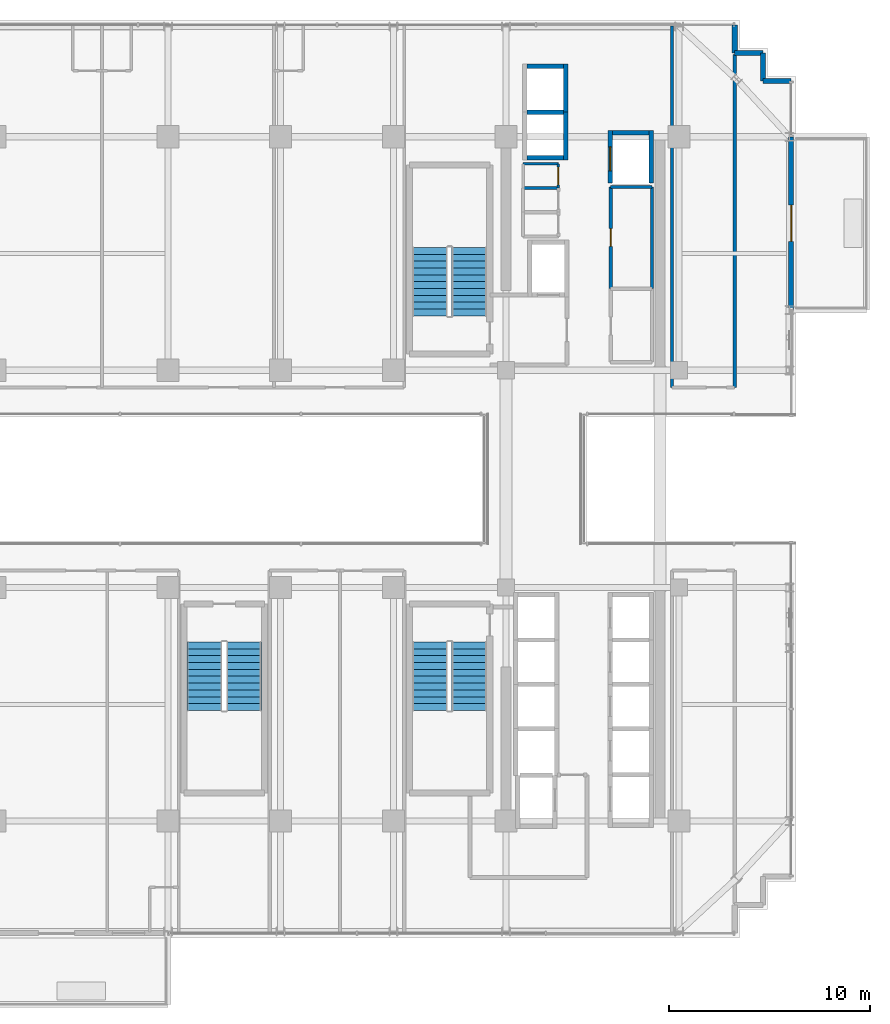
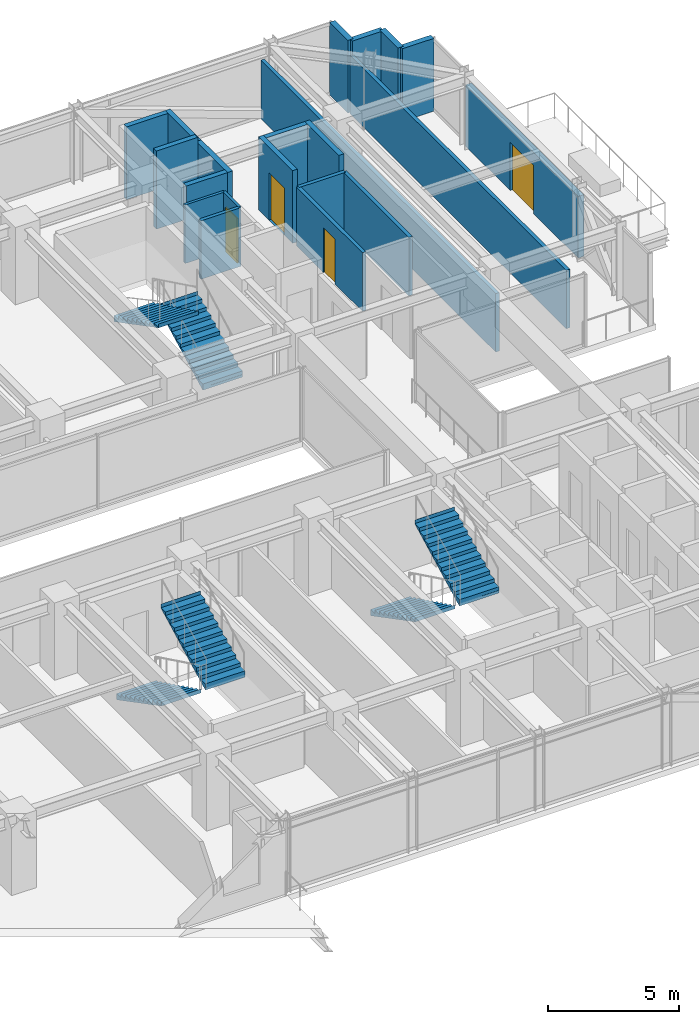
# One storey, part 34 of 38: 21 walls, 6 stair flights, 4 doors, 4 openings, 3 elements without a shape of their own.
"""IFC4 building model written with IfcOpenShell, lengths in metres."""

from ifc_helpers import new_model, si_unit, direction, frame, frame_2d, origin, place, context, subcontext, project, spatial, polyline, rectangle, outline, extrude, source, transform, mapped, material, layer, layer_set, type_object, element, fill, aggregate, save


model = new_model("IFC4")

# Units and contexts
model_context = context("Model", 3, precision=1e-05, world=origin(), true_north=direction((0.0, 1.0)))
body_context = subcontext(model_context, "Body", "Model", "MODEL_VIEW")
ifc_project = project(units=[si_unit("LENGTHUNIT", "METRE"), si_unit("AREAUNIT", "SQUARE_METRE"), si_unit("VOLUMEUNIT", "CUBIC_METRE"), si_unit("PLANEANGLEUNIT", "RADIAN"), si_unit("MASSUNIT", "GRAM", prefix="KILO")], contexts=[model_context])

# Site, building, storey
site_placement = place(None, origin())
site = spatial("IfcSite", under=ifc_project, at=site_placement, CompositionType="ELEMENT")
building_placement = place(site_placement, origin())
building = spatial("IfcBuilding", under=site, at=building_placement, Name="Nahalor Promenade Grand Hotel", CompositionType="ELEMENT")
storey_placement = place(building_placement, frame((0.0, 0.0, 178.199951171875)))
storey = spatial("IfcBuildingStorey", under=building, at=storey_placement, Name="L45", CompositionType="ELEMENT", Elevation=178.199951171875)

# Walls
ifc_material_1 = material(Name="Concrete B-50 (C40/50)", Category="concrete")
ifc_layer_1 = layer(ifc_material_1, 0.219970703125)
ifc_layer_set_1 = layer_set([ifc_layer_1], Name="Concrete B-50 (C40/50)")
wall_type_1 = type_object("IfcWallType", Name="Wall-LiftShaft-220", PredefinedType="SHEAR", material=ifc_layer_set_1)
shared_shape_1 = source(origin(), body_context, "Body", "SweptSolid", [
    extrude(rectangle(XDim=1.820068359375, YDim=0.219970703125, at=frame_2d((0.91015625, 0.0))), origin(), (0.0, 0.0, 1.0), 3.650146484375),
])
wall_1_placement = place(storey_placement, frame((9.43994140625, 18.22509765625, 0.0), z_axis=(0.0, 0.0, 1.0), x_axis=(1.0, 0.0, 0.0)))
element("IfcWall", 1, at=wall_1_placement, inside=storey, type_object=wall_type_1, Name="L45 Lift OB1 Hoistway Wall N", PredefinedType="SHEAR", context=body_context, shape_type="MappedRepresentation", body=[
    mapped(shared_shape_1, transform((0.0, 0.0, 0.0), scale=1.0)),
])
shared_shape_2 = source(origin(), body_context, "Body", "SweptSolid", [
    extrude(rectangle(XDim=1.820068359375, YDim=0.219970703125, at=frame_2d((0.91015625, 0.0))), origin(), (0.0, 0.0, 1.0), 3.39013671875),
])
for number, where, z_axis, x_axis, name in (
    (2, (9.43994140625, 15.949951171875, 0.0), (0.0, 0.0, 1.0), (1.0, 0.0, 0.0), "L45 Lift OB1 Hoistway Wall S"),
    (3, (9.43994140625, 20.5, 0.0), (0.0, 0.0, 1.0), (1.0, 0.0, 0.0), "L45 Lift OB2 Hoistway Wall N"),
    (4, (13.68994140625, 17.199951171875, 0.0), (0.0, 0.0, 1.0), (1.0, 0.0, 0.0), "L45 Lift SV1 Hoistway Wall N"),
):
    element("IfcWall", number, at=place(storey_placement, frame(where, z_axis=z_axis, x_axis=x_axis)), inside=storey, type_object=wall_type_1, Name=name, PredefinedType="SHEAR", context=body_context, shape_type="MappedRepresentation", body=[
        mapped(shared_shape_2, transform((0.0, 0.0, 0.0), scale=1.0)),
    ])
shared_shape_3 = source(origin(), body_context, "Body", "SweptSolid", [
    extrude(rectangle(XDim=2.385009765625, YDim=0.219970703125, at=frame_2d((1.1923828125, 0.0))), origin(), (0.0, 0.0, 1.0), 3.39013671875),
])
for number, where, z_axis, x_axis, name in (
    (5, (11.3701171875, 15.840087890625, 0.0), (0.0, 0.0, 1.0), (0.0, 1.0, 0.0), "L45 Lift OB1 Hoistway Wall E"),
    (6, (11.3701171875, 18.22509765625, 0.0), (0.0, 0.0, 1.0), (0.0, 1.0, 0.0), "L45 Lift OB2 Hoistway Wall E"),
):
    element("IfcWall", number, at=place(storey_placement, frame(where, z_axis=z_axis, x_axis=x_axis)), inside=storey, type_object=wall_type_1, Name=name, PredefinedType="SHEAR", context=body_context, shape_type="MappedRepresentation", body=[
        mapped(shared_shape_3, transform((0.0, 0.0, 0.0), scale=1.0)),
    ])

# Wall, opening, door
shared_shape_4 = source(origin(), body_context, "Body", "SweptSolid", [
    extrude(rectangle(XDim=2.610107421875, YDim=0.219970703125, at=frame_2d((1.30517578125, 0.0))), origin(), (0.0, 0.0, 1.0), 3.39013671875),
])
wall_2_placement = place(storey_placement, frame((13.580078125, 14.699951171875, 0.0), z_axis=(0.0, 0.0, 1.0), x_axis=(0.0, 1.0, 0.0)))
wall_2 = element("IfcWall", 7, at=wall_2_placement, inside=storey, type_object=wall_type_1, Name="L45 Lift SV1 Hoistway Wall W", PredefinedType="SHEAR", context=body_context, shape_type="MappedRepresentation", body=[
    mapped(shared_shape_4, transform((0.0, 0.0, 0.0), scale=1.0)),
])
opening_1_placement = place(wall_2_placement, frame((0.60009765625, 0.0, 0.0)))
opening_1 = element("IfcOpeningElement", 8, at=opening_1_placement, cuts=wall_2, Name="Opening LD-03", PredefinedType="OPENING", context=body_context, shape_type="SweptSolid", body=[
    extrude(rectangle(XDim=1.199951171875, YDim=2.199951171875, at=frame_2d((0.60009765625, 1.10009765625))), frame((0.0, 0.119873046875, 0.0), z_axis=(0.0, -1.0, 0.0), x_axis=(1.0, 0.0, 0.0)), (0.0, 0.0, 1.0), 0.239990234375),
])
ifc_material_2 = material(Name="Steel S355JR", Category="steel")
door_type_1 = type_object("IfcDoorType", Name="Door-LiftService-1200", OperationType="DOUBLE_DOOR_SLIDING", PredefinedType="DOOR", material=ifc_material_2)
shared_shape_5 = source(origin(), body_context, "Body", "SweptSolid", [
    extrude(rectangle(XDim=1.199951171875, YDim=2.199951171875, at=frame_2d((0.60009765625, 1.10009765625))), frame((0.0, 0.02490234375, 0.0), z_axis=(0.0, -1.0, 0.0), x_axis=(1.0, 0.0, 0.0)), (0.0, 0.0, 1.0), 0.050048828125),
])
door_1_placement = place(opening_1_placement, origin())
door_1 = element("IfcDoor", 9, at=door_1_placement, inside=storey, type_object=door_type_1, Name="DR-LIFT-SV1-L45", OperationType="DOUBLE_DOOR_SLIDING", OverallHeight=2.199951171875, OverallWidth=1.199951171875, PredefinedType="DOOR", context=body_context, shape_type="MappedRepresentation", body=[
    mapped(shared_shape_5, transform((0.0, 0.0, 0.0), scale=1.0)),
])
fill(opening_1, door_1)

# Wall
wall_3_placement = place(storey_placement, frame((15.6201171875, 14.699951171875, 0.0), z_axis=(0.0, 0.0, 1.0), x_axis=(0.0, 1.0, 0.0)))
element("IfcWall", 10, at=wall_3_placement, inside=storey, type_object=wall_type_1, Name="L45 Lift SV1 Hoistway Wall E", PredefinedType="SHEAR", context=body_context, shape_type="MappedRepresentation", body=[
    mapped(shared_shape_4, transform((0.0, 0.0, 0.0), scale=1.0)),
])

# Wall, opening, door
ifc_material_3 = material(Name="Concrete B-40 (C32/40)", Category="concrete")
ifc_layer_2 = layer(ifc_material_3, 0.260009765625)
ifc_layer_set_2 = layer_set([ifc_layer_2], Name="Concrete B-40 (C32/40)")
wall_type_2 = type_object("IfcWallType", Name="Wall-BalconyWall-260", PredefinedType="STANDARD", material=ifc_layer_set_2)
shared_shape_6 = source(origin(), body_context, "Body", "SweptSolid", [
    extrude(rectangle(XDim=8.60009765625, YDim=0.260009765625, at=frame_2d((4.300048828125, 0.0))), origin(), (0.0, 0.0, 1.0), 2.8701171875),
])
wall_4_placement = place(storey_placement, frame((22.56005859375, 8.39990234375, 0.0), z_axis=(0.0, 0.0, 1.0), x_axis=(0.0, 1.0, 0.0)))
wall_4 = element("IfcWall", 11, at=wall_4_placement, inside=storey, type_object=wall_type_2, Name="W-L45-BALC-E-3", PredefinedType="STANDARD", context=body_context, shape_type="MappedRepresentation", body=[
    mapped(shared_shape_6, transform((0.0, 0.0, 0.0), scale=1.0)),
])
opening_2_placement = place(wall_4_placement, frame((3.39990234375, 0.0, 0.0)))
opening_2 = element("IfcOpeningElement", 12, at=opening_2_placement, cuts=wall_4, Name="Opening D-BC1", PredefinedType="OPENING", context=body_context, shape_type="SweptSolid", body=[
    extrude(rectangle(XDim=1.800048828125, YDim=2.25, at=frame_2d((0.89990234375, 1.125))), frame((0.0, 0.139892578125, 0.0), z_axis=(0.0, -1.0, 0.0), x_axis=(1.0, 0.0, 0.0)), (0.0, 0.0, 1.0), 0.280029296875),
])
ifc_material_4 = material(Name="Anodised Bronze Aluminium EN AW-6063 T6", Category="aluminium")
door_type_2 = type_object("IfcDoorType", Name="Door-BalconySlide-1800", OperationType="DOUBLE_DOOR_SLIDING", PredefinedType="DOOR", material=ifc_material_4)
shared_shape_7 = source(origin(), body_context, "Body", "SweptSolid", [
    extrude(rectangle(XDim=1.800048828125, YDim=2.25, at=frame_2d((0.89990234375, 1.125))), frame((0.0, 0.02490234375, 0.0), z_axis=(0.0, -1.0, 0.0), x_axis=(1.0, 0.0, 0.0)), (0.0, 0.0, 1.0), 0.050048828125),
])
door_2_placement = place(opening_2_placement, frame((1.800048828125, 0.0, 0.0), z_axis=(0.0, 0.0, 1.0), x_axis=(-1.0, 0.0, 0.0)))
door_2 = element("IfcDoor", 13, at=door_2_placement, inside=storey, type_object=door_type_2, Name="DR-L45-BALC-E-3", OperationType="DOUBLE_DOOR_SLIDING", OverallHeight=2.25, OverallWidth=1.800048828125, PredefinedType="DOOR", context=body_context, shape_type="MappedRepresentation", body=[
    mapped(shared_shape_7, transform((0.0, 0.0, 0.0), scale=1.0)),
])
fill(opening_2, door_2)

# Walls
ifc_layer_3 = layer(ifc_material_3, 0.25)
ifc_layer_set_3 = layer_set([ifc_layer_3], Name="Concrete B-40 (C32/40)")
wall_type_3 = type_object("IfcWallType", Name="Wall-BronzePier-250", PredefinedType="STANDARD", material=ifc_layer_set_3)
shared_shape_8 = source(origin(), body_context, "Body", "SweptSolid", [
    extrude(rectangle(XDim=1.400146484375, YDim=0.25, at=frame_2d((0.7001953125, 0.0))), origin(), (0.0, 0.0, 1.0), 3.39013671875),
])
for number, where, z_axis, x_axis, name in (
    (14, (21.159912109375, 19.760009765625, 0.0), (0.0, 0.0, 1.0), (1.0, 0.0, 0.0), "W-L45-SR-05"),
    (15, (19.760009765625, 21.159912109375, 0.0), (0.0, 0.0, 1.0), (0.0, 1.0, 0.0), "W-L45-SR-08"),
):
    element("IfcWall", number, at=place(storey_placement, frame(where, z_axis=z_axis, x_axis=x_axis)), inside=storey, type_object=wall_type_3, Name=name, PredefinedType="STANDARD", context=body_context, shape_type="MappedRepresentation", body=[
        mapped(shared_shape_8, transform((0.0, 0.0, 0.0), scale=1.0)),
    ])
shared_shape_9 = source(origin(), body_context, "Body", "SweptSolid", [
    extrude(rectangle(XDim=1.39990234375, YDim=0.25, at=frame_2d((0.699951171875, 0.0))), origin(), (0.0, 0.0, 1.0), 3.39013671875),
])
for number, where, z_axis, x_axis, name in (
    (16, (21.159912109375, 19.760009765625, 0.0), (0.0, 0.0, 1.0), (0.0, 1.0, 0.0), "W-L45-SR-06"),
    (17, (19.760009765625, 21.159912109375, 0.0), (0.0, 0.0, 1.0), (1.0, 0.0, 0.0), "W-L45-SR-07"),
):
    element("IfcWall", number, at=place(storey_placement, frame(where, z_axis=z_axis, x_axis=x_axis)), inside=storey, type_object=wall_type_3, Name=name, PredefinedType="STANDARD", context=body_context, shape_type="MappedRepresentation", body=[
        mapped(shared_shape_9, transform((0.0, 0.0, 0.0), scale=1.0)),
    ])
ifc_material_5 = material(Name="Acoustic Mineral Gypsum", Category="gypsum")
ifc_layer_4 = layer(ifc_material_5, 0.14990234375)
ifc_layer_set_4 = layer_set([ifc_layer_4], Name="Acoustic Mineral Gypsum")
wall_type_4 = type_object("IfcWallType", Name="Wall-PartService-150", PredefinedType="PARTITIONING", material=ifc_layer_set_4)
shared_shape_10 = source(origin(), body_context, "Body", "SweptSolid", [
    extrude(rectangle(XDim=1.75, YDim=0.14990234375, at=frame_2d((0.875, 0.0))), origin(), (0.0, 0.0, 1.0), 2.72998046875),
])
wall_5_placement = place(storey_placement, frame((9.25, 14.449951171875, 0.0), z_axis=(0.0, 0.0, 1.0), x_axis=(1.0, 0.0, 0.0)))
element("IfcWall", 18, at=wall_5_placement, inside=storey, type_object=wall_type_4, Name="W-L45-CK3B-N", PredefinedType="PARTITIONING", context=body_context, shape_type="MappedRepresentation", body=[
    mapped(shared_shape_10, transform((0.0, 0.0, 0.0), scale=1.0)),
])
ifc_layer_5 = layer(ifc_material_5, 0.159912109375)
ifc_layer_set_5 = layer_set([ifc_layer_5], Name="Acoustic Mineral Gypsum")
wall_type_5 = type_object("IfcWallType", Name="Wall-PartCorridor-160", PredefinedType="PARTITIONING", material=ifc_layer_set_5)
shared_shape_11 = source(origin(), body_context, "Body", "SweptSolid", [
    extrude(rectangle(XDim=2.0498046875, YDim=0.159912109375, at=frame_2d((1.02490234375, 0.0))), origin(), (0.0, 0.0, 1.0), 2.72998046875),
])
wall_6_placement = place(storey_placement, frame((13.60009765625, 14.5, 0.0), z_axis=(0.0, 0.0, 1.0), x_axis=(1.0, 0.0, 0.0)))
element("IfcWall", 19, at=wall_6_placement, inside=storey, type_object=wall_type_5, Name="W-L45-FRB1B-N", PredefinedType="PARTITIONING", context=body_context, shape_type="MappedRepresentation", body=[
    mapped(shared_shape_11, transform((0.0, 0.0, 0.0), scale=1.0)),
])
shared_shape_12 = source(origin(), body_context, "Body", "SweptSolid", [
    extrude(rectangle(XDim=17.949951171875, YDim=0.159912109375, at=frame_2d((8.97509765625, 0.0))), origin(), (0.0, 0.0, 1.0), 2.72998046875),
])
wall_7_placement = place(storey_placement, frame((16.64990234375, 4.550048828125, 0.0), z_axis=(0.0, 0.0, 1.0), x_axis=(0.0, 1.0, 0.0)))
element("IfcWall", 20, at=wall_7_placement, inside=storey, type_object=wall_type_5, Name="W-L45-ENE-W", PredefinedType="PARTITIONING", context=body_context, shape_type="MappedRepresentation", body=[
    mapped(shared_shape_12, transform((0.0, 0.0, 0.0), scale=1.0)),
])
shared_shape_13 = source(origin(), body_context, "Body", "SweptSolid", [
    extrude(rectangle(XDim=16.530029296875, YDim=0.159912109375, at=frame_2d((8.26513671875, 0.0))), origin(), (0.0, 0.0, 1.0), 2.72998046875),
])
wall_8_placement = place(storey_placement, frame((19.760009765625, 4.550048828125, 0.0), z_axis=(0.0, 0.0, 1.0), x_axis=(0.0, 1.0, 0.0)))
element("IfcWall", 21, at=wall_8_placement, inside=storey, type_object=wall_type_5, Name="W-L45-ENE-E", PredefinedType="PARTITIONING", context=body_context, shape_type="MappedRepresentation", body=[
    mapped(shared_shape_13, transform((0.0, 0.0, 0.0), scale=1.0)),
])
ifc_layer_6 = layer(ifc_material_5, 0.1201171875)
ifc_layer_set_6 = layer_set([ifc_layer_6], Name="Acoustic Mineral Gypsum")
wall_type_6 = type_object("IfcWallType", Name="Wall-PartBath-120", PredefinedType="PARTITIONING", material=ifc_layer_set_6)
shared_shape_14 = source(origin(), body_context, "Body", "SweptSolid", [
    extrude(rectangle(XDim=1.75, YDim=0.1201171875, at=frame_2d((0.875, 0.0))), origin(), (0.0, 0.0, 1.0), 2.72998046875),
])
wall_9_placement = place(storey_placement, frame((9.25, 15.64990234375, 0.0), z_axis=(0.0, 0.0, 1.0), x_axis=(1.0, 0.0, 0.0)))
element("IfcWall", 22, at=wall_9_placement, inside=storey, type_object=wall_type_6, Name="W-L45-CK3C-N", PredefinedType="PARTITIONING", context=body_context, shape_type="MappedRepresentation", body=[
    mapped(shared_shape_14, transform((0.0, 0.0, 0.0), scale=1.0)),
])

# Wall, opening, door
shared_shape_15 = source(origin(), body_context, "Body", "SweptSolid", [
    extrude(rectangle(XDim=1.199951171875, YDim=0.1201171875, at=frame_2d((0.60009765625, 0.0))), origin(), (0.0, 0.0, 1.0), 2.72998046875),
])
wall_10_placement = place(storey_placement, frame((11.0, 14.449951171875, 0.0), z_axis=(0.0, 0.0, 1.0), x_axis=(0.0, 1.0, 0.0)))
wall_10 = element("IfcWall", 23, at=wall_10_placement, inside=storey, type_object=wall_type_6, Name="W-L45-CK3C-E", PredefinedType="PARTITIONING", context=body_context, shape_type="MappedRepresentation", body=[
    mapped(shared_shape_15, transform((0.0, 0.0, 0.0), scale=1.0)),
])
opening_3_placement = place(wall_10_placement, frame((0.159912109375, 0.0, 0.0)))
opening_3 = element("IfcOpeningElement", 24, at=opening_3_placement, cuts=wall_10, Name="Opening D-03", PredefinedType="OPENING", context=body_context, shape_type="SweptSolid", body=[
    extrude(rectangle(XDim=0.8798828125, YDim=2.10009765625, at=frame_2d((0.43994140625, 1.050048828125))), frame((0.0, 0.070068359375, 0.0), z_axis=(0.0, -1.0, 0.0), x_axis=(1.0, 0.0, 0.0)), (0.0, 0.0, 1.0), 0.14013671875),
])
ifc_material_6 = material(Name="Fire-Rated Timber Composite", Category="wood")
door_type_3 = type_object("IfcDoorType", Name="Door-BathSwing-880", OperationType="NOTDEFINED", PredefinedType="DOOR", material=ifc_material_6)
shared_shape_16 = source(origin(), body_context, "Body", "SweptSolid", [
    extrude(rectangle(XDim=0.8798828125, YDim=2.10009765625, at=frame_2d((0.43994140625, 1.050048828125))), frame((0.0, 0.02490234375, 0.0), z_axis=(0.0, -1.0, 0.0), x_axis=(1.0, 0.0, 0.0)), (0.0, 0.0, 1.0), 0.050048828125),
])
door_3_placement = place(opening_3_placement, origin())
door_3 = element("IfcDoor", 25, at=door_3_placement, inside=storey, type_object=door_type_3, Name="DR-L45-CK3C", OperationType="SINGLE_SWING_LEFT", OverallHeight=2.10009765625, OverallWidth=0.8798828125, PredefinedType="DOOR", context=body_context, shape_type="MappedRepresentation", body=[
    mapped(shared_shape_16, transform((0.0, 0.0, 0.0), scale=1.0)),
])
fill(opening_3, door_3)

shared_shape_17 = source(origin(), body_context, "Body", "SweptSolid", [
    extrude(rectangle(XDim=5.050048828125, YDim=0.159912109375, at=frame_2d((2.52490234375, 0.0))), origin(), (0.0, 0.0, 1.0), 2.72998046875),
])
wall_11_placement = place(storey_placement, frame((13.60009765625, 9.449951171875, 0.0), z_axis=(0.0, 0.0, 1.0), x_axis=(0.0, 1.0, 0.0)))
wall_11 = element("IfcWall", 26, at=wall_11_placement, inside=storey, type_object=wall_type_5, Name="W-L45-FRB1B-W", PredefinedType="PARTITIONING", context=body_context, shape_type="MappedRepresentation", body=[
    mapped(shared_shape_17, transform((0.0, 0.0, 0.0), scale=1.0)),
])
opening_4_placement = place(wall_11_placement, frame((2.110107421875, 0.0, 0.0)))
opening_4 = element("IfcOpeningElement", 27, at=opening_4_placement, cuts=wall_11, Name="Opening D-03", PredefinedType="OPENING", context=body_context, shape_type="SweptSolid", body=[
    extrude(rectangle(XDim=0.8798828125, YDim=2.10009765625, at=frame_2d((0.43994140625, 1.050048828125))), frame((0.0, 0.08984375, 0.0), z_axis=(0.0, -1.0, 0.0), x_axis=(1.0, 0.0, 0.0)), (0.0, 0.0, 1.0), 0.179931640625),
])
door_4_placement = place(opening_4_placement, frame((0.8798828125, 0.0, 0.0), z_axis=(0.0, 0.0, 1.0), x_axis=(-1.0, 0.0, 0.0)))
door_4 = element("IfcDoor", 28, at=door_4_placement, inside=storey, type_object=door_type_3, Name="DR-L45-FRB1B", OperationType="SINGLE_SWING_LEFT", OverallHeight=2.10009765625, OverallWidth=0.8798828125, PredefinedType="DOOR", context=body_context, shape_type="MappedRepresentation", body=[
    mapped(shared_shape_16, transform((0.0, 0.0, 0.0), scale=1.0)),
])
fill(opening_4, door_4)

# Wall
wall_12_placement = place(storey_placement, frame((15.64990234375, 9.449951171875, 0.0), z_axis=(0.0, 0.0, 1.0), x_axis=(0.0, 1.0, 0.0)))
element("IfcWall", 29, at=wall_12_placement, inside=storey, type_object=wall_type_5, Name="W-L45-FRB1B-E", PredefinedType="PARTITIONING", context=body_context, shape_type="MappedRepresentation", body=[
    mapped(shared_shape_17, transform((0.0, 0.0, 0.0), scale=1.0)),
])

# Stair, stair flights
stair_type_1 = type_object("IfcStairType", Name="Stair-ST1", PredefinedType="HALF_TURN_STAIR", material=ifc_material_1)
stair_1_placement = place(storey_placement, origin())
stair_1 = element("IfcStair", 30, at=stair_1_placement, inside=storey, type_object=stair_type_1, Name="L45 ST1", PredefinedType="HALF_TURN_STAIR")
ifc_layer_7 = layer(ifc_material_1, 0.179931640625)
ifc_layer_set_7 = layer_set([ifc_layer_7], Name="Concrete B-50 (C40/50)")
stair_flight_type_1 = type_object("IfcStairFlightType", Name="Flight-ST1", PredefinedType="STRAIGHT", material=ifc_layer_set_7)
shared_shape_18 = source(origin(), body_context, "Body", "SweptSolid", [
    extrude(outline(polyline([(-0.00390625, -0.1201171875), (-0.00390625, 0.0), (0.0, 0.0), (0.0, 0.166015625), (0.340087890625, 0.166015625), (0.340087890625, 0.331787109375), (0.679931640625, 0.331787109375), (0.679931640625, 0.497802734375), (1.02001953125, 0.497802734375), (1.02001953125, 0.66357421875), (1.360107421875, 0.66357421875), (1.360107421875, 0.82958984375), (1.699951171875, 0.82958984375), (1.699951171875, 0.995361328125), (2.0400390625, 0.995361328125), (2.0400390625, 1.161376953125), (2.3798828125, 1.161376953125), (2.3798828125, 1.327392578125), (2.719970703125, 1.327392578125), (2.719970703125, 1.4931640625), (3.06005859375, 1.4931640625), (3.06005859375, 1.6591796875), (3.39990234375, 1.6591796875), (3.39990234375, 1.824951171875), (3.404052734375, 1.824951171875), (3.404052734375, 1.64501953125), (0.02001953125, -0.1201171875), (-0.00390625, -0.1201171875)])), frame((0.0, 0.875, 0.0), z_axis=(0.0, -1.0, 0.0), x_axis=(1.0, 0.0, 0.0)), (0.0, 0.0, 1.0), 1.75),
])
stair_flight_1_placement = place(storey_placement, frame((6.574951171875, 8.10009765625, 0.0), z_axis=(0.0, 0.0, 1.0), x_axis=(0.0, 1.0, 0.0)))
stair_flight_1 = element("IfcStairFlight", 31, at=stair_flight_1_placement, type_object=stair_flight_type_1, Name="ST1 flight 1", NumberOfRisers=11, NumberOfTreads=10, PredefinedType="STRAIGHT", RiserHeight=0.165909091, TreadLength=0.34, context=body_context, shape_type="MappedRepresentation", body=[
    mapped(shared_shape_18, transform((0.0, 0.0, 0.0), scale=1.0)),
])
stair_flight_2_placement = place(storey_placement, frame((4.625, 11.5, 1.824951171875), z_axis=(0.0, 0.0, 1.0), x_axis=(0.0, -1.0, 0.0)))
stair_flight_2 = element("IfcStairFlight", 32, at=stair_flight_2_placement, type_object=stair_flight_type_1, Name="ST1 flight 2", NumberOfRisers=11, NumberOfTreads=10, PredefinedType="STRAIGHT", RiserHeight=0.165909091, TreadLength=0.34, context=body_context, shape_type="MappedRepresentation", body=[
    mapped(shared_shape_18, transform((0.0, 0.0, 0.0), scale=1.0)),
])
aggregate(stair_1, [stair_flight_1, stair_flight_2])

stair_type_2 = type_object("IfcStairType", Name="Stair-ST2", PredefinedType="HALF_TURN_STAIR", material=ifc_material_1)
stair_2_placement = place(storey_placement, origin())
stair_2 = element("IfcStair", 33, at=stair_2_placement, inside=storey, type_object=stair_type_2, Name="L45 ST2", PredefinedType="HALF_TURN_STAIR")
ifc_layer_8 = layer(ifc_material_1, 0.18994140625)
ifc_layer_set_8 = layer_set([ifc_layer_8], Name="Concrete B-50 (C40/50)")
stair_flight_type_2 = type_object("IfcStairFlightType", Name="Flight-ST2", PredefinedType="STRAIGHT", material=ifc_layer_set_8)
shared_shape_19 = source(origin(), body_context, "Body", "SweptSolid", [
    extrude(outline(polyline([(-0.00390625, -0.1201171875), (-0.00390625, 0.0), (0.0, 0.0), (0.0, 0.166015625), (0.340087890625, 0.166015625), (0.340087890625, 0.331787109375), (0.679931640625, 0.331787109375), (0.679931640625, 0.497802734375), (1.02001953125, 0.497802734375), (1.02001953125, 0.66357421875), (1.360107421875, 0.66357421875), (1.360107421875, 0.82958984375), (1.699951171875, 0.82958984375), (1.699951171875, 0.995361328125), (2.0400390625, 0.995361328125), (2.0400390625, 1.161376953125), (2.3798828125, 1.161376953125), (2.3798828125, 1.327392578125), (2.719970703125, 1.327392578125), (2.719970703125, 1.4931640625), (3.06005859375, 1.4931640625), (3.06005859375, 1.6591796875), (3.39990234375, 1.6591796875), (3.39990234375, 1.824951171875), (3.404052734375, 1.824951171875), (3.404052734375, 1.64501953125), (0.02001953125, -0.1201171875), (-0.00390625, -0.1201171875)])), frame((0.0, 0.875, 0.0), z_axis=(0.0, -1.0, 0.0), x_axis=(1.0, 0.0, 0.0)), (0.0, 0.0, 1.0), 1.75),
])
stair_flight_3_placement = place(storey_placement, frame((4.625, -8.10009765625, 0.0), z_axis=(0.0, 0.0, 1.0), x_axis=(0.0, -1.0, 0.0)))
stair_flight_3 = element("IfcStairFlight", 34, at=stair_flight_3_placement, type_object=stair_flight_type_2, Name="ST2 flight 1", NumberOfRisers=11, NumberOfTreads=10, PredefinedType="STRAIGHT", RiserHeight=0.165909091, TreadLength=0.34, context=body_context, shape_type="MappedRepresentation", body=[
    mapped(shared_shape_19, transform((0.0, 0.0, 0.0), scale=1.0)),
])
stair_flight_4_placement = place(storey_placement, frame((6.574951171875, -11.5, 1.824951171875), z_axis=(0.0, 0.0, 1.0), x_axis=(0.0, 1.0, 0.0)))
stair_flight_4 = element("IfcStairFlight", 35, at=stair_flight_4_placement, type_object=stair_flight_type_2, Name="ST2 flight 2", NumberOfRisers=11, NumberOfTreads=10, PredefinedType="STRAIGHT", RiserHeight=0.165909091, TreadLength=0.34, context=body_context, shape_type="MappedRepresentation", body=[
    mapped(shared_shape_19, transform((0.0, 0.0, 0.0), scale=1.0)),
])
aggregate(stair_2, [stair_flight_3, stair_flight_4])

stair_type_3 = type_object("IfcStairType", Name="Stair-ST3", PredefinedType="HALF_TURN_STAIR", material=ifc_material_1)
stair_3_placement = place(storey_placement, origin())
stair_3 = element("IfcStair", 36, at=stair_3_placement, inside=storey, type_object=stair_type_3, Name="L45 ST3", PredefinedType="HALF_TURN_STAIR")
ifc_layer_9 = layer(ifc_material_1, 0.199951171875)
ifc_layer_set_9 = layer_set([ifc_layer_9], Name="Concrete B-50 (C40/50)")
stair_flight_type_3 = type_object("IfcStairFlightType", Name="Flight-ST3", PredefinedType="STRAIGHT", material=ifc_layer_set_9)
shared_shape_20 = source(origin(), body_context, "Body", "SweptSolid", [
    extrude(outline(polyline([(-0.00390625, -0.1201171875), (-0.00390625, 0.0), (0.0, 0.0), (0.0, 0.166015625), (0.340087890625, 0.166015625), (0.340087890625, 0.331787109375), (0.679931640625, 0.331787109375), (0.679931640625, 0.497802734375), (1.02001953125, 0.497802734375), (1.02001953125, 0.66357421875), (1.360107421875, 0.66357421875), (1.360107421875, 0.82958984375), (1.699951171875, 0.82958984375), (1.699951171875, 0.995361328125), (2.0400390625, 0.995361328125), (2.0400390625, 1.161376953125), (2.3798828125, 1.161376953125), (2.3798828125, 1.327392578125), (2.719970703125, 1.327392578125), (2.719970703125, 1.4931640625), (3.06005859375, 1.4931640625), (3.06005859375, 1.6591796875), (3.39990234375, 1.6591796875), (3.39990234375, 1.824951171875), (3.404052734375, 1.824951171875), (3.404052734375, 1.64501953125), (0.02001953125, -0.1201171875), (-0.00390625, -0.1201171875)])), frame((0.0, 0.875, 0.0), z_axis=(0.0, -1.0, 0.0), x_axis=(1.0, 0.0, 0.0)), (0.0, 0.0, 1.0), 1.75),
])
stair_flight_5_placement = place(storey_placement, frame((-6.574951171875, -8.10009765625, 0.0), z_axis=(0.0, 0.0, 1.0), x_axis=(0.0, -1.0, 0.0)))
stair_flight_5 = element("IfcStairFlight", 37, at=stair_flight_5_placement, type_object=stair_flight_type_3, Name="ST3 flight 1", NumberOfRisers=11, NumberOfTreads=10, PredefinedType="STRAIGHT", RiserHeight=0.165909091, TreadLength=0.34, context=body_context, shape_type="MappedRepresentation", body=[
    mapped(shared_shape_20, transform((0.0, 0.0, 0.0), scale=1.0)),
])
stair_flight_6_placement = place(storey_placement, frame((-4.625, -11.5, 1.824951171875), z_axis=(0.0, 0.0, 1.0), x_axis=(0.0, 1.0, 0.0)))
stair_flight_6 = element("IfcStairFlight", 38, at=stair_flight_6_placement, type_object=stair_flight_type_3, Name="ST3 flight 2", NumberOfRisers=11, NumberOfTreads=10, PredefinedType="STRAIGHT", RiserHeight=0.165909091, TreadLength=0.34, context=body_context, shape_type="MappedRepresentation", body=[
    mapped(shared_shape_20, transform((0.0, 0.0, 0.0), scale=1.0)),
])
aggregate(stair_3, [stair_flight_5, stair_flight_6])

save(model, "model.ifc")
